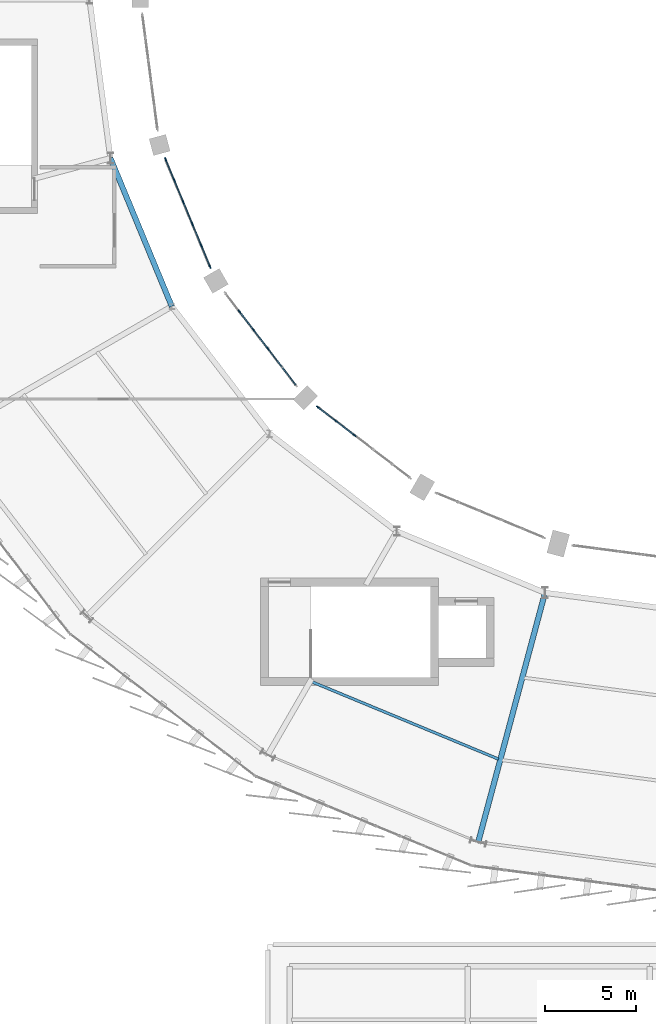
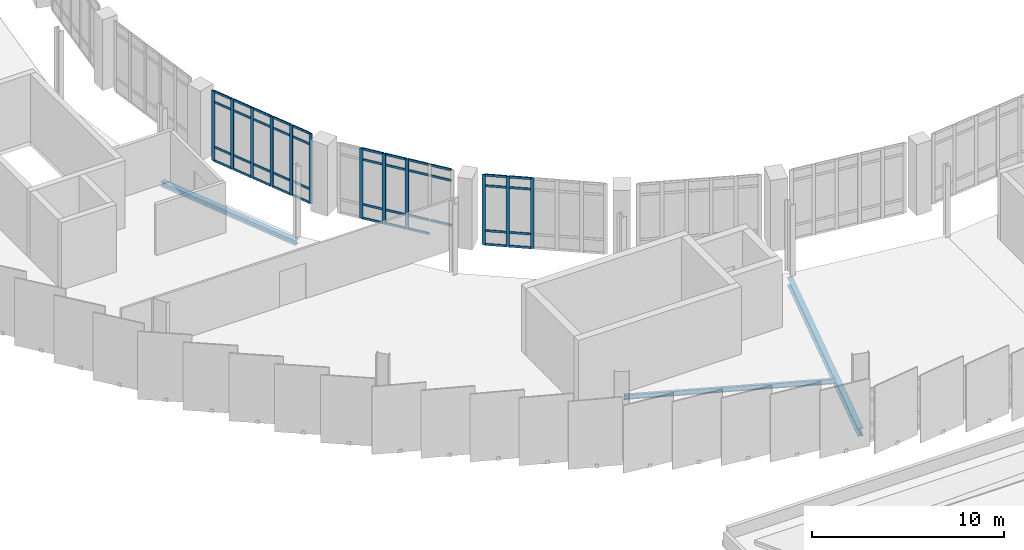
# One storey, part 18 of 67: 55 members, 3 beams, 3 elements without a shape of their own.
"""IFC4 building model written with IfcOpenShell, lengths in metres."""

from ifc_helpers import new_model, si_unit, direction, frame, origin, origin_2d, place, context, subcontext, project, spatial, rectangle, i_section, extrude, material, layer, layer_set, material_profile, profile_set, type_object, element, aggregate, save


model = new_model("IFC4")

# Units and contexts
model_context = context("Model", 3, precision=1e-05, world=origin(), true_north=direction((0.0, 1.0)))
body_context = subcontext(model_context, "Body", "Model", "MODEL_VIEW")
ifc_project = project(units=[si_unit("LENGTHUNIT", "METRE"), si_unit("AREAUNIT", "SQUARE_METRE"), si_unit("VOLUMEUNIT", "CUBIC_METRE"), si_unit("PLANEANGLEUNIT", "RADIAN"), si_unit("MASSUNIT", "GRAM", prefix="KILO")], contexts=[model_context])

# Site, building, storey
site_placement = place(None, origin())
site = spatial("IfcSite", under=ifc_project, at=site_placement, CompositionType="ELEMENT")
building_placement = place(site_placement, origin())
building = spatial("IfcBuilding", under=site, at=building_placement, Name="Sohan Crest Arena", CompositionType="ELEMENT")
storey_placement = place(building_placement, frame((0.0, 0.0, 22.5)))
storey = spatial("IfcBuildingStorey", under=building, at=storey_placement, Name="L05", CompositionType="ELEMENT", Elevation=22.5)

# Curtain wall, members
ifc_material_1 = material(Name="Thermally broken anodised aluminium", Category="aluminium")
ifc_layer = layer(ifc_material_1, 0.18994140625, Name="Thermally broken anodised aluminium")
ifc_layer_set = layer_set([ifc_layer], Name="Thermally broken anodised aluminium")
curtain_wall_type = type_object("IfcCurtainWallType", Name="ARC-CW05", PredefinedType="NOTDEFINED", material=ifc_layer_set)
curtain_wall_1_placement = place(storey_placement, origin())
curtain_wall_1 = element("IfcCurtainWall", 1, at=curtain_wall_1_placement, inside=storey, type_object=curtain_wall_type, Name="Unitised curtain wall CW-178", PredefinedType="NOTDEFINED")
ifc_material_profile_1 = material_profile(ifc_material_1, rectangle(XDim=0.070068359375, YDim=0.199951171875, at=origin_2d()), Name="ALU-MULL 70x200")
ifc_profile_set_1 = profile_set([ifc_material_profile_1], Name="Thermally broken anodised aluminium")
member_type_1 = type_object("IfcMemberType", Name="ARC-CW-ML03", PredefinedType="MULLION", material=ifc_profile_set_1)
member_1_placement = place(storey_placement, frame((68.38330078125, 69.186767578125, 0.0), z_axis=(0.0, 0.0, 1.0), x_axis=(0.923886494023, 0.382666625357, 0.0)))
member_1 = element("IfcMember", 2, at=member_1_placement, type_object=member_type_1, Name="CW-178 mullion 1", PredefinedType="MULLION", context=body_context, shape_type="SweptSolid", body=[
    extrude(rectangle(XDim=0.070068359375, YDim=0.199951171875, at=origin_2d()), origin(), (0.0, 0.0, 1.0), 4.449951171875),
])
member_2_placement = place(storey_placement, frame((68.86376953125, 68.02685546875, 0.0), z_axis=(0.0, 0.0, 1.0), x_axis=(0.923886494023, 0.382666625357, 0.0)))
member_2 = element("IfcMember", 3, at=member_2_placement, type_object=member_type_1, Name="CW-178 mullion 2", PredefinedType="MULLION", context=body_context, shape_type="SweptSolid", body=[
    extrude(rectangle(XDim=0.070068359375, YDim=0.199951171875, at=origin_2d()), origin(), (0.0, 0.0, 1.0), 4.449951171875),
])
member_3_placement = place(storey_placement, frame((69.357666015625, 66.834716796875, 0.0), z_axis=(0.0, 0.0, 1.0), x_axis=(0.923886494023, 0.382666625357, 0.0)))
member_3 = element("IfcMember", 4, at=member_3_placement, type_object=member_type_1, Name="CW-178 mullion 3", PredefinedType="MULLION", context=body_context, shape_type="SweptSolid", body=[
    extrude(rectangle(XDim=0.070068359375, YDim=0.199951171875, at=origin_2d()), origin(), (0.0, 0.0, 1.0), 4.449951171875),
])
member_4_placement = place(storey_placement, frame((69.851318359375, 65.642333984375, 0.0), z_axis=(0.0, 0.0, 1.0), x_axis=(0.923886494023, 0.382666625357, 0.0)))
member_4 = element("IfcMember", 5, at=member_4_placement, type_object=member_type_1, Name="CW-178 mullion 4", PredefinedType="MULLION", context=body_context, shape_type="SweptSolid", body=[
    extrude(rectangle(XDim=0.070068359375, YDim=0.199951171875, at=origin_2d()), origin(), (0.0, 0.0, 1.0), 4.449951171875),
])
member_5_placement = place(storey_placement, frame((70.34521484375, 64.4501953125, 0.0), z_axis=(0.0, 0.0, 1.0), x_axis=(0.923886494023, 0.382666625357, 0.0)))
member_5 = element("IfcMember", 6, at=member_5_placement, type_object=member_type_1, Name="CW-178 mullion 5", PredefinedType="MULLION", context=body_context, shape_type="SweptSolid", body=[
    extrude(rectangle(XDim=0.070068359375, YDim=0.199951171875, at=origin_2d()), origin(), (0.0, 0.0, 1.0), 4.449951171875),
])
member_6_placement = place(storey_placement, frame((70.82568359375, 63.290283203125, 0.0), z_axis=(0.0, 0.0, 1.0), x_axis=(0.923886494023, 0.382666625357, 0.0)))
member_6 = element("IfcMember", 7, at=member_6_placement, type_object=member_type_1, Name="CW-178 mullion 6", PredefinedType="MULLION", context=body_context, shape_type="SweptSolid", body=[
    extrude(rectangle(XDim=0.070068359375, YDim=0.199951171875, at=origin_2d()), origin(), (0.0, 0.0, 1.0), 4.449951171875),
])

curtain_wall_2_placement = place(storey_placement, origin())
curtain_wall_2 = element("IfcCurtainWall", 8, at=curtain_wall_2_placement, inside=storey, type_object=curtain_wall_type, Name="Unitised curtain wall CW-180", PredefinedType="NOTDEFINED")
member_7_placement = place(storey_placement, frame((72.437744140625, 60.825439453125, 0.0), z_axis=(0.0, 0.0, 1.0), x_axis=(0.793217053508, 0.608939000248, 0.0)))
member_7 = element("IfcMember", 9, at=member_7_placement, type_object=member_type_1, Name="CW-180 mullion 2", PredefinedType="MULLION", context=body_context, shape_type="SweptSolid", body=[
    extrude(rectangle(XDim=0.070068359375, YDim=0.199951171875, at=origin_2d()), origin(), (0.0, 0.0, 1.0), 4.449951171875),
])
member_8_placement = place(storey_placement, frame((73.2236328125, 59.8017578125, 0.0), z_axis=(0.0, 0.0, 1.0), x_axis=(0.793217053508, 0.608939000248, 0.0)))
member_8 = element("IfcMember", 10, at=member_8_placement, type_object=member_type_1, Name="CW-180 mullion 3", PredefinedType="MULLION", context=body_context, shape_type="SweptSolid", body=[
    extrude(rectangle(XDim=0.070068359375, YDim=0.199951171875, at=origin_2d()), origin(), (0.0, 0.0, 1.0), 4.449951171875),
])
member_9_placement = place(storey_placement, frame((74.009521484375, 58.7783203125, 0.0), z_axis=(0.0, 0.0, 1.0), x_axis=(0.793217053508, 0.608939000248, 0.0)))
member_9 = element("IfcMember", 11, at=member_9_placement, type_object=member_type_1, Name="CW-180 mullion 4", PredefinedType="MULLION", context=body_context, shape_type="SweptSolid", body=[
    extrude(rectangle(XDim=0.070068359375, YDim=0.199951171875, at=origin_2d()), origin(), (0.0, 0.0, 1.0), 4.449951171875),
])

curtain_wall_3_placement = place(storey_placement, origin())
curtain_wall_3 = element("IfcCurtainWall", 12, at=curtain_wall_3_placement, inside=storey, type_object=curtain_wall_type, Name="Unitised curtain wall CW-182", PredefinedType="NOTDEFINED")
member_10_placement = place(storey_placement, frame((76.7587890625, 55.5595703125, 0.0), z_axis=(0.0, 0.0, 1.0), x_axis=(0.608939000248, 0.793217053508, 0.0)))
member_10 = element("IfcMember", 13, at=member_10_placement, type_object=member_type_1, Name="CW-182 mullion 1", PredefinedType="MULLION", context=body_context, shape_type="SweptSolid", body=[
    extrude(rectangle(XDim=0.070068359375, YDim=0.199951171875, at=origin_2d()), origin(), (0.0, 0.0, 1.0), 4.449951171875),
])
member_11_placement = place(storey_placement, frame((77.754638671875, 54.795166015625, 0.0), z_axis=(0.0, 0.0, 1.0), x_axis=(0.608939000248, 0.793217053508, 0.0)))
member_11 = element("IfcMember", 14, at=member_11_placement, type_object=member_type_1, Name="CW-182 mullion 2", PredefinedType="MULLION", context=body_context, shape_type="SweptSolid", body=[
    extrude(rectangle(XDim=0.070068359375, YDim=0.199951171875, at=origin_2d()), origin(), (0.0, 0.0, 1.0), 4.449951171875),
])
member_12_placement = place(storey_placement, frame((78.7783203125, 54.009521484375, 0.0), z_axis=(0.0, 0.0, 1.0), x_axis=(0.608939000248, 0.793217053508, 0.0)))
member_12 = element("IfcMember", 15, at=member_12_placement, type_object=member_type_1, Name="CW-182 mullion 3", PredefinedType="MULLION", context=body_context, shape_type="SweptSolid", body=[
    extrude(rectangle(XDim=0.070068359375, YDim=0.199951171875, at=origin_2d()), origin(), (0.0, 0.0, 1.0), 4.449951171875),
])

# Member
ifc_material_profile_2 = material_profile(ifc_material_1, rectangle(XDim=0.06494140625, YDim=0.139892578125, at=origin_2d()), Name="ALU-TRAN 65x140")
ifc_profile_set_2 = profile_set([ifc_material_profile_2], Name="Thermally broken anodised aluminium")
member_type_2 = type_object("IfcMemberType", Name="ARC-CW-TR02", PredefinedType="USERDEFINED", material=ifc_profile_set_2)
member_13_placement = place(storey_placement, frame((68.396728515625, 69.154296875, 0.032470703125), z_axis=(0.382654947151, -0.923891330959, 0.0), x_axis=(0.923891330959, 0.382654947151, 0.0)))
member_13 = element("IfcMember", 16, at=member_13_placement, type_object=member_type_2, Name="CW-178 transom 1.1", ObjectType="TRANSOM", PredefinedType="USERDEFINED", context=body_context, shape_type="SweptSolid", body=[
    extrude(rectangle(XDim=0.06494140625, YDim=0.139892578125, at=origin_2d()), origin(), (0.0, 0.0, 1.0), 1.185546875),
])

member_14_placement = place(storey_placement, frame((68.396728515625, 69.154296875, 0.89990234375), z_axis=(0.382654947151, -0.923891330959, 0.0), x_axis=(0.923891330959, 0.382654947151, 0.0)))
member_14 = element("IfcMember", 17, at=member_14_placement, type_object=member_type_2, Name="CW-178 transom 1.2", ObjectType="TRANSOM", PredefinedType="USERDEFINED", context=body_context, shape_type="SweptSolid", body=[
    extrude(rectangle(XDim=0.06494140625, YDim=0.139892578125, at=origin_2d()), origin(), (0.0, 0.0, 1.0), 1.185546875),
])

member_15_placement = place(storey_placement, frame((68.396728515625, 69.154296875, 3.75), z_axis=(0.382654947151, -0.923891330959, 0.0), x_axis=(0.923891330959, 0.382654947151, 0.0)))
member_15 = element("IfcMember", 18, at=member_15_placement, type_object=member_type_2, Name="CW-178 transom 1.3", ObjectType="TRANSOM", PredefinedType="USERDEFINED", context=body_context, shape_type="SweptSolid", body=[
    extrude(rectangle(XDim=0.06494140625, YDim=0.139892578125, at=origin_2d()), origin(), (0.0, 0.0, 1.0), 1.185546875),
])

member_16_placement = place(storey_placement, frame((68.396728515625, 69.154296875, 4.41748046875), z_axis=(0.382654947151, -0.923891330959, 0.0), x_axis=(0.923891330959, 0.382654947151, 0.0)))
member_16 = element("IfcMember", 19, at=member_16_placement, type_object=member_type_2, Name="CW-178 transom 1.4", ObjectType="TRANSOM", PredefinedType="USERDEFINED", context=body_context, shape_type="SweptSolid", body=[
    extrude(rectangle(XDim=0.06494140625, YDim=0.139892578125, at=origin_2d()), origin(), (0.0, 0.0, 1.0), 1.185546875),
])

member_17_placement = place(storey_placement, frame((68.877197265625, 67.994384765625, 0.032470703125), z_axis=(0.382711055899, -0.923868089985, 0.0), x_axis=(0.923868089985, 0.382711055899, 0.0)))
member_17 = element("IfcMember", 20, at=member_17_placement, type_object=member_type_2, Name="CW-178 transom 2.1", ObjectType="TRANSOM", PredefinedType="USERDEFINED", context=body_context, shape_type="SweptSolid", body=[
    extrude(rectangle(XDim=0.06494140625, YDim=0.139892578125, at=origin_2d()), origin(), (0.0, 0.0, 1.0), 1.220458984375),
])

member_18_placement = place(storey_placement, frame((68.877197265625, 67.994384765625, 0.89990234375), z_axis=(0.382711055899, -0.923868089985, 0.0), x_axis=(0.923868089985, 0.382711055899, 0.0)))
member_18 = element("IfcMember", 21, at=member_18_placement, type_object=member_type_2, Name="CW-178 transom 2.2", ObjectType="TRANSOM", PredefinedType="USERDEFINED", context=body_context, shape_type="SweptSolid", body=[
    extrude(rectangle(XDim=0.06494140625, YDim=0.139892578125, at=origin_2d()), origin(), (0.0, 0.0, 1.0), 1.220458984375),
])

member_19_placement = place(storey_placement, frame((68.877197265625, 67.994384765625, 3.75), z_axis=(0.382711055899, -0.923868089985, 0.0), x_axis=(0.923868089985, 0.382711055899, 0.0)))
member_19 = element("IfcMember", 22, at=member_19_placement, type_object=member_type_2, Name="CW-178 transom 2.3", ObjectType="TRANSOM", PredefinedType="USERDEFINED", context=body_context, shape_type="SweptSolid", body=[
    extrude(rectangle(XDim=0.06494140625, YDim=0.139892578125, at=origin_2d()), origin(), (0.0, 0.0, 1.0), 1.220458984375),
])

member_20_placement = place(storey_placement, frame((68.877197265625, 67.994384765625, 4.41748046875), z_axis=(0.382711055899, -0.923868089985, 0.0), x_axis=(0.923868089985, 0.382711055899, 0.0)))
member_20 = element("IfcMember", 23, at=member_20_placement, type_object=member_type_2, Name="CW-178 transom 2.4", ObjectType="TRANSOM", PredefinedType="USERDEFINED", context=body_context, shape_type="SweptSolid", body=[
    extrude(rectangle(XDim=0.06494140625, YDim=0.139892578125, at=origin_2d()), origin(), (0.0, 0.0, 1.0), 1.220458984375),
])

member_21_placement = place(storey_placement, frame((69.37109375, 66.80224609375, 0.032470703125), z_axis=(0.382540280289, -0.92393881505, 0.0), x_axis=(0.92393881505, 0.382540280289, 0.0)))
member_21 = element("IfcMember", 24, at=member_21_placement, type_object=member_type_2, Name="CW-178 transom 3.1", ObjectType="TRANSOM", PredefinedType="USERDEFINED", context=body_context, shape_type="SweptSolid", body=[
    extrude(rectangle(XDim=0.06494140625, YDim=0.139892578125, at=origin_2d()), origin(), (0.0, 0.0, 1.0), 1.22021484375),
])

member_22_placement = place(storey_placement, frame((69.37109375, 66.80224609375, 0.89990234375), z_axis=(0.382540280289, -0.92393881505, 0.0), x_axis=(0.92393881505, 0.382540280289, 0.0)))
member_22 = element("IfcMember", 25, at=member_22_placement, type_object=member_type_2, Name="CW-178 transom 3.2", ObjectType="TRANSOM", PredefinedType="USERDEFINED", context=body_context, shape_type="SweptSolid", body=[
    extrude(rectangle(XDim=0.06494140625, YDim=0.139892578125, at=origin_2d()), origin(), (0.0, 0.0, 1.0), 1.22021484375),
])

member_23_placement = place(storey_placement, frame((69.37109375, 66.80224609375, 3.75), z_axis=(0.382540280289, -0.92393881505, 0.0), x_axis=(0.92393881505, 0.382540280289, 0.0)))
member_23 = element("IfcMember", 26, at=member_23_placement, type_object=member_type_2, Name="CW-178 transom 3.3", ObjectType="TRANSOM", PredefinedType="USERDEFINED", context=body_context, shape_type="SweptSolid", body=[
    extrude(rectangle(XDim=0.06494140625, YDim=0.139892578125, at=origin_2d()), origin(), (0.0, 0.0, 1.0), 1.22021484375),
])

member_24_placement = place(storey_placement, frame((69.37109375, 66.80224609375, 4.41748046875), z_axis=(0.382540280289, -0.92393881505, 0.0), x_axis=(0.92393881505, 0.382540280289, 0.0)))
member_24 = element("IfcMember", 27, at=member_24_placement, type_object=member_type_2, Name="CW-178 transom 3.4", ObjectType="TRANSOM", PredefinedType="USERDEFINED", context=body_context, shape_type="SweptSolid", body=[
    extrude(rectangle(XDim=0.06494140625, YDim=0.139892578125, at=origin_2d()), origin(), (0.0, 0.0, 1.0), 1.22021484375),
])

member_25_placement = place(storey_placement, frame((69.86474609375, 65.610107421875, 0.032470703125), z_axis=(0.382640332417, -0.923897383917, 0.0), x_axis=(0.923897383917, 0.382640332417, 0.0)))
member_25 = element("IfcMember", 28, at=member_25_placement, type_object=member_type_2, Name="CW-178 transom 4.1", ObjectType="TRANSOM", PredefinedType="USERDEFINED", context=body_context, shape_type="SweptSolid", body=[
    extrude(rectangle(XDim=0.06494140625, YDim=0.139892578125, at=origin_2d()), origin(), (0.0, 0.0, 1.0), 1.220458984375),
])

member_26_placement = place(storey_placement, frame((69.86474609375, 65.610107421875, 0.89990234375), z_axis=(0.382640332417, -0.923897383917, 0.0), x_axis=(0.923897383917, 0.382640332417, 0.0)))
member_26 = element("IfcMember", 29, at=member_26_placement, type_object=member_type_2, Name="CW-178 transom 4.2", ObjectType="TRANSOM", PredefinedType="USERDEFINED", context=body_context, shape_type="SweptSolid", body=[
    extrude(rectangle(XDim=0.06494140625, YDim=0.139892578125, at=origin_2d()), origin(), (0.0, 0.0, 1.0), 1.220458984375),
])

member_27_placement = place(storey_placement, frame((69.86474609375, 65.610107421875, 3.75), z_axis=(0.382640332417, -0.923897383917, 0.0), x_axis=(0.923897383917, 0.382640332417, 0.0)))
member_27 = element("IfcMember", 30, at=member_27_placement, type_object=member_type_2, Name="CW-178 transom 4.3", ObjectType="TRANSOM", PredefinedType="USERDEFINED", context=body_context, shape_type="SweptSolid", body=[
    extrude(rectangle(XDim=0.06494140625, YDim=0.139892578125, at=origin_2d()), origin(), (0.0, 0.0, 1.0), 1.220458984375),
])

member_28_placement = place(storey_placement, frame((69.86474609375, 65.610107421875, 4.41748046875), z_axis=(0.382640332417, -0.923897383917, 0.0), x_axis=(0.923897383917, 0.382640332417, 0.0)))
member_28 = element("IfcMember", 31, at=member_28_placement, type_object=member_type_2, Name="CW-178 transom 4.4", ObjectType="TRANSOM", PredefinedType="USERDEFINED", context=body_context, shape_type="SweptSolid", body=[
    extrude(rectangle(XDim=0.06494140625, YDim=0.139892578125, at=origin_2d()), origin(), (0.0, 0.0, 1.0), 1.220458984375),
])

member_29_placement = place(storey_placement, frame((70.358642578125, 64.41796875, 0.032470703125), z_axis=(0.382654947151, -0.923891330959, 0.0), x_axis=(0.923891330959, 0.382654947151, 0.0)))
member_29 = element("IfcMember", 32, at=member_29_placement, type_object=member_type_2, Name="CW-178 transom 5.1", ObjectType="TRANSOM", PredefinedType="USERDEFINED", context=body_context, shape_type="SweptSolid", body=[
    extrude(rectangle(XDim=0.06494140625, YDim=0.139892578125, at=origin_2d()), origin(), (0.0, 0.0, 1.0), 1.185546875),
])

member_30_placement = place(storey_placement, frame((70.358642578125, 64.41796875, 0.89990234375), z_axis=(0.382654947151, -0.923891330959, 0.0), x_axis=(0.923891330959, 0.382654947151, 0.0)))
member_30 = element("IfcMember", 33, at=member_30_placement, type_object=member_type_2, Name="CW-178 transom 5.2", ObjectType="TRANSOM", PredefinedType="USERDEFINED", context=body_context, shape_type="SweptSolid", body=[
    extrude(rectangle(XDim=0.06494140625, YDim=0.139892578125, at=origin_2d()), origin(), (0.0, 0.0, 1.0), 1.185546875),
])

member_31_placement = place(storey_placement, frame((70.358642578125, 64.41796875, 3.75), z_axis=(0.382654947151, -0.923891330959, 0.0), x_axis=(0.923891330959, 0.382654947151, 0.0)))
member_31 = element("IfcMember", 34, at=member_31_placement, type_object=member_type_2, Name="CW-178 transom 5.3", ObjectType="TRANSOM", PredefinedType="USERDEFINED", context=body_context, shape_type="SweptSolid", body=[
    extrude(rectangle(XDim=0.06494140625, YDim=0.139892578125, at=origin_2d()), origin(), (0.0, 0.0, 1.0), 1.185546875),
])

member_32_placement = place(storey_placement, frame((70.358642578125, 64.41796875, 4.41748046875), z_axis=(0.382654947151, -0.923891330959, 0.0), x_axis=(0.923891330959, 0.382654947151, 0.0)))
member_32 = element("IfcMember", 35, at=member_32_placement, type_object=member_type_2, Name="CW-178 transom 5.4", ObjectType="TRANSOM", PredefinedType="USERDEFINED", context=body_context, shape_type="SweptSolid", body=[
    extrude(rectangle(XDim=0.06494140625, YDim=0.139892578125, at=origin_2d()), origin(), (0.0, 0.0, 1.0), 1.185546875),
])

aggregate(curtain_wall_1, [member_1, member_2, member_3, member_4, member_5, member_6, member_13, member_14, member_15, member_16, member_17, member_18, member_19, member_20, member_21, member_22, member_23, member_24, member_25, member_26, member_27, member_28, member_29, member_30, member_31, member_32])

member_33_placement = place(storey_placement, frame((72.459228515625, 60.797607421875, 0.032470703125), z_axis=(0.608956387903, -0.793203705004, 0.0), x_axis=(0.793203705004, 0.608956387903, 0.0)))
member_33 = element("IfcMember", 36, at=member_33_placement, type_object=member_type_2, Name="CW-180 transom 2.1", ObjectType="TRANSOM", PredefinedType="USERDEFINED", context=body_context, shape_type="SweptSolid", body=[
    extrude(rectangle(XDim=0.06494140625, YDim=0.139892578125, at=origin_2d()), origin(), (0.0, 0.0, 1.0), 1.220458984375),
])

member_34_placement = place(storey_placement, frame((72.459228515625, 60.797607421875, 0.89990234375), z_axis=(0.608956387903, -0.793203705004, 0.0), x_axis=(0.793203705004, 0.608956387903, 0.0)))
member_34 = element("IfcMember", 37, at=member_34_placement, type_object=member_type_2, Name="CW-180 transom 2.2", ObjectType="TRANSOM", PredefinedType="USERDEFINED", context=body_context, shape_type="SweptSolid", body=[
    extrude(rectangle(XDim=0.06494140625, YDim=0.139892578125, at=origin_2d()), origin(), (0.0, 0.0, 1.0), 1.220458984375),
])

member_35_placement = place(storey_placement, frame((72.459228515625, 60.797607421875, 3.75), z_axis=(0.608956387903, -0.793203705004, 0.0), x_axis=(0.793203705004, 0.608956387903, 0.0)))
member_35 = element("IfcMember", 38, at=member_35_placement, type_object=member_type_2, Name="CW-180 transom 2.3", ObjectType="TRANSOM", PredefinedType="USERDEFINED", context=body_context, shape_type="SweptSolid", body=[
    extrude(rectangle(XDim=0.06494140625, YDim=0.139892578125, at=origin_2d()), origin(), (0.0, 0.0, 1.0), 1.220458984375),
])

member_36_placement = place(storey_placement, frame((72.459228515625, 60.797607421875, 4.41748046875), z_axis=(0.608956387903, -0.793203705004, 0.0), x_axis=(0.793203705004, 0.608956387903, 0.0)))
member_36 = element("IfcMember", 39, at=member_36_placement, type_object=member_type_2, Name="CW-180 transom 2.4", ObjectType="TRANSOM", PredefinedType="USERDEFINED", context=body_context, shape_type="SweptSolid", body=[
    extrude(rectangle(XDim=0.06494140625, YDim=0.139892578125, at=origin_2d()), origin(), (0.0, 0.0, 1.0), 1.220458984375),
])

member_37_placement = place(storey_placement, frame((73.244873046875, 59.77392578125, 0.032470703125), z_axis=(0.608956387903, -0.793203705004, 0.0), x_axis=(0.793203705004, 0.608956387903, 0.0)))
member_37 = element("IfcMember", 40, at=member_37_placement, type_object=member_type_2, Name="CW-180 transom 3.1", ObjectType="TRANSOM", PredefinedType="USERDEFINED", context=body_context, shape_type="SweptSolid", body=[
    extrude(rectangle(XDim=0.06494140625, YDim=0.139892578125, at=origin_2d()), origin(), (0.0, 0.0, 1.0), 1.220458984375),
])

member_38_placement = place(storey_placement, frame((73.244873046875, 59.77392578125, 0.89990234375), z_axis=(0.608956387903, -0.793203705004, 0.0), x_axis=(0.793203705004, 0.608956387903, 0.0)))
member_38 = element("IfcMember", 41, at=member_38_placement, type_object=member_type_2, Name="CW-180 transom 3.2", ObjectType="TRANSOM", PredefinedType="USERDEFINED", context=body_context, shape_type="SweptSolid", body=[
    extrude(rectangle(XDim=0.06494140625, YDim=0.139892578125, at=origin_2d()), origin(), (0.0, 0.0, 1.0), 1.220458984375),
])

member_39_placement = place(storey_placement, frame((73.244873046875, 59.77392578125, 3.75), z_axis=(0.608956387903, -0.793203705004, 0.0), x_axis=(0.793203705004, 0.608956387903, 0.0)))
member_39 = element("IfcMember", 42, at=member_39_placement, type_object=member_type_2, Name="CW-180 transom 3.3", ObjectType="TRANSOM", PredefinedType="USERDEFINED", context=body_context, shape_type="SweptSolid", body=[
    extrude(rectangle(XDim=0.06494140625, YDim=0.139892578125, at=origin_2d()), origin(), (0.0, 0.0, 1.0), 1.220458984375),
])

member_40_placement = place(storey_placement, frame((73.244873046875, 59.77392578125, 4.41748046875), z_axis=(0.608956387903, -0.793203705004, 0.0), x_axis=(0.793203705004, 0.608956387903, 0.0)))
member_40 = element("IfcMember", 43, at=member_40_placement, type_object=member_type_2, Name="CW-180 transom 3.4", ObjectType="TRANSOM", PredefinedType="USERDEFINED", context=body_context, shape_type="SweptSolid", body=[
    extrude(rectangle(XDim=0.06494140625, YDim=0.139892578125, at=origin_2d()), origin(), (0.0, 0.0, 1.0), 1.220458984375),
])

member_41_placement = place(storey_placement, frame((74.03076171875, 58.75048828125, 0.032470703125), z_axis=(0.608956387903, -0.793203705004, 0.0), x_axis=(0.793203705004, 0.608956387903, 0.0)))
member_41 = element("IfcMember", 44, at=member_41_placement, type_object=member_type_2, Name="CW-180 transom 4.1", ObjectType="TRANSOM", PredefinedType="USERDEFINED", context=body_context, shape_type="SweptSolid", body=[
    extrude(rectangle(XDim=0.06494140625, YDim=0.139892578125, at=origin_2d()), origin(), (0.0, 0.0, 1.0), 1.220458984375),
])

member_42_placement = place(storey_placement, frame((74.03076171875, 58.75048828125, 0.89990234375), z_axis=(0.608956387903, -0.793203705004, 0.0), x_axis=(0.793203705004, 0.608956387903, 0.0)))
member_42 = element("IfcMember", 45, at=member_42_placement, type_object=member_type_2, Name="CW-180 transom 4.2", ObjectType="TRANSOM", PredefinedType="USERDEFINED", context=body_context, shape_type="SweptSolid", body=[
    extrude(rectangle(XDim=0.06494140625, YDim=0.139892578125, at=origin_2d()), origin(), (0.0, 0.0, 1.0), 1.220458984375),
])

member_43_placement = place(storey_placement, frame((74.03076171875, 58.75048828125, 3.75), z_axis=(0.608956387903, -0.793203705004, 0.0), x_axis=(0.793203705004, 0.608956387903, 0.0)))
member_43 = element("IfcMember", 46, at=member_43_placement, type_object=member_type_2, Name="CW-180 transom 4.3", ObjectType="TRANSOM", PredefinedType="USERDEFINED", context=body_context, shape_type="SweptSolid", body=[
    extrude(rectangle(XDim=0.06494140625, YDim=0.139892578125, at=origin_2d()), origin(), (0.0, 0.0, 1.0), 1.220458984375),
])

member_44_placement = place(storey_placement, frame((74.03076171875, 58.75048828125, 4.41748046875), z_axis=(0.608956387903, -0.793203705004, 0.0), x_axis=(0.793203705004, 0.608956387903, 0.0)))
member_44 = element("IfcMember", 47, at=member_44_placement, type_object=member_type_2, Name="CW-180 transom 4.4", ObjectType="TRANSOM", PredefinedType="USERDEFINED", context=body_context, shape_type="SweptSolid", body=[
    extrude(rectangle(XDim=0.06494140625, YDim=0.139892578125, at=origin_2d()), origin(), (0.0, 0.0, 1.0), 1.220458984375),
])

member_45_placement = place(storey_placement, frame((74.81640625, 57.726806640625, 0.89990234375), z_axis=(0.609023743394, -0.793151990467, 0.0), x_axis=(0.793151990467, 0.609023743394, 0.0)))
member_45 = element("IfcMember", 48, at=member_45_placement, type_object=member_type_2, Name="CW-180 transom 5.2", ObjectType="TRANSOM", PredefinedType="USERDEFINED", context=body_context, shape_type="SweptSolid", body=[
    extrude(rectangle(XDim=0.06494140625, YDim=0.139892578125, at=origin_2d()), origin(), (0.0, 0.0, 1.0), 1.185302734375),
])

member_46_placement = place(storey_placement, frame((74.81640625, 57.726806640625, 3.75), z_axis=(0.609023743394, -0.793151990467, 0.0), x_axis=(0.793151990467, 0.609023743394, 0.0)))
member_46 = element("IfcMember", 49, at=member_46_placement, type_object=member_type_2, Name="CW-180 transom 5.3", ObjectType="TRANSOM", PredefinedType="USERDEFINED", context=body_context, shape_type="SweptSolid", body=[
    extrude(rectangle(XDim=0.06494140625, YDim=0.139892578125, at=origin_2d()), origin(), (0.0, 0.0, 1.0), 1.185302734375),
])

member_47_placement = place(storey_placement, frame((74.81640625, 57.726806640625, 4.41748046875), z_axis=(0.609023743394, -0.793151990467, 0.0), x_axis=(0.793151990467, 0.609023743394, 0.0)))
member_47 = element("IfcMember", 50, at=member_47_placement, type_object=member_type_2, Name="CW-180 transom 5.4", ObjectType="TRANSOM", PredefinedType="USERDEFINED", context=body_context, shape_type="SweptSolid", body=[
    extrude(rectangle(XDim=0.06494140625, YDim=0.139892578125, at=origin_2d()), origin(), (0.0, 0.0, 1.0), 1.185302734375),
])

aggregate(curtain_wall_2, [member_7, member_8, member_9, member_33, member_34, member_35, member_36, member_37, member_38, member_39, member_40, member_41, member_42, member_43, member_44, member_45, member_46, member_47])

member_48_placement = place(storey_placement, frame((76.78662109375, 55.538330078125, 0.032470703125), z_axis=(0.793151990467, -0.609023743394, 0.0), x_axis=(0.609023743394, 0.793151990467, 0.0)))
member_48 = element("IfcMember", 51, at=member_48_placement, type_object=member_type_2, Name="CW-182 transom 1.1", ObjectType="TRANSOM", PredefinedType="USERDEFINED", context=body_context, shape_type="SweptSolid", body=[
    extrude(rectangle(XDim=0.06494140625, YDim=0.139892578125, at=origin_2d()), origin(), (0.0, 0.0, 1.0), 1.185302734375),
])

member_49_placement = place(storey_placement, frame((76.78662109375, 55.538330078125, 0.89990234375), z_axis=(0.793151990467, -0.609023743394, 0.0), x_axis=(0.609023743394, 0.793151990467, 0.0)))
member_49 = element("IfcMember", 52, at=member_49_placement, type_object=member_type_2, Name="CW-182 transom 1.2", ObjectType="TRANSOM", PredefinedType="USERDEFINED", context=body_context, shape_type="SweptSolid", body=[
    extrude(rectangle(XDim=0.06494140625, YDim=0.139892578125, at=origin_2d()), origin(), (0.0, 0.0, 1.0), 1.185302734375),
])

member_50_placement = place(storey_placement, frame((76.78662109375, 55.538330078125, 3.75), z_axis=(0.793151990467, -0.609023743394, 0.0), x_axis=(0.609023743394, 0.793151990467, 0.0)))
member_50 = element("IfcMember", 53, at=member_50_placement, type_object=member_type_2, Name="CW-182 transom 1.3", ObjectType="TRANSOM", PredefinedType="USERDEFINED", context=body_context, shape_type="SweptSolid", body=[
    extrude(rectangle(XDim=0.06494140625, YDim=0.139892578125, at=origin_2d()), origin(), (0.0, 0.0, 1.0), 1.185302734375),
])

member_51_placement = place(storey_placement, frame((76.78662109375, 55.538330078125, 4.41748046875), z_axis=(0.793151990467, -0.609023743394, 0.0), x_axis=(0.609023743394, 0.793151990467, 0.0)))
member_51 = element("IfcMember", 54, at=member_51_placement, type_object=member_type_2, Name="CW-182 transom 1.4", ObjectType="TRANSOM", PredefinedType="USERDEFINED", context=body_context, shape_type="SweptSolid", body=[
    extrude(rectangle(XDim=0.06494140625, YDim=0.139892578125, at=origin_2d()), origin(), (0.0, 0.0, 1.0), 1.185302734375),
])

member_52_placement = place(storey_placement, frame((77.782470703125, 54.77392578125, 0.032470703125), z_axis=(0.793203705004, -0.608956387903, 0.0), x_axis=(0.608956387903, 0.793203705004, 0.0)))
member_52 = element("IfcMember", 55, at=member_52_placement, type_object=member_type_2, Name="CW-182 transom 2.1", ObjectType="TRANSOM", PredefinedType="USERDEFINED", context=body_context, shape_type="SweptSolid", body=[
    extrude(rectangle(XDim=0.06494140625, YDim=0.139892578125, at=origin_2d()), origin(), (0.0, 0.0, 1.0), 1.220458984375),
])

member_53_placement = place(storey_placement, frame((77.782470703125, 54.77392578125, 0.89990234375), z_axis=(0.793203705004, -0.608956387903, 0.0), x_axis=(0.608956387903, 0.793203705004, 0.0)))
member_53 = element("IfcMember", 56, at=member_53_placement, type_object=member_type_2, Name="CW-182 transom 2.2", ObjectType="TRANSOM", PredefinedType="USERDEFINED", context=body_context, shape_type="SweptSolid", body=[
    extrude(rectangle(XDim=0.06494140625, YDim=0.139892578125, at=origin_2d()), origin(), (0.0, 0.0, 1.0), 1.220458984375),
])

member_54_placement = place(storey_placement, frame((77.782470703125, 54.77392578125, 3.75), z_axis=(0.793203705004, -0.608956387903, 0.0), x_axis=(0.608956387903, 0.793203705004, 0.0)))
member_54 = element("IfcMember", 57, at=member_54_placement, type_object=member_type_2, Name="CW-182 transom 2.3", ObjectType="TRANSOM", PredefinedType="USERDEFINED", context=body_context, shape_type="SweptSolid", body=[
    extrude(rectangle(XDim=0.06494140625, YDim=0.139892578125, at=origin_2d()), origin(), (0.0, 0.0, 1.0), 1.220458984375),
])

member_55_placement = place(storey_placement, frame((77.782470703125, 54.77392578125, 4.41748046875), z_axis=(0.793203705004, -0.608956387903, 0.0), x_axis=(0.608956387903, 0.793203705004, 0.0)))
member_55 = element("IfcMember", 58, at=member_55_placement, type_object=member_type_2, Name="CW-182 transom 2.4", ObjectType="TRANSOM", PredefinedType="USERDEFINED", context=body_context, shape_type="SweptSolid", body=[
    extrude(rectangle(XDim=0.06494140625, YDim=0.139892578125, at=origin_2d()), origin(), (0.0, 0.0, 1.0), 1.220458984375),
])

aggregate(curtain_wall_3, [member_10, member_11, member_12, member_48, member_49, member_50, member_51, member_52, member_53, member_54, member_55])

# Beams
ifc_material_2 = material(Name="Steel S355", Category="steel")
ifc_material_profile_3 = material_profile(ifc_material_2, i_section(OverallWidth=0.14990234375, OverallDepth=0.300048828125, WebThickness=0.007080078125, FlangeThickness=0.0107421875, at=origin_2d()), Name="IPE 300")
ifc_profile_set_3 = profile_set([ifc_material_profile_3], Name="Steel S355")
beam_type_1 = type_object("IfcBeamType", Name="STR-BM-B01", PredefinedType="JOIST", material=ifc_profile_set_3)
beam_1_placement = place(storey_placement, frame((76.445068359375, 40.447021484375, -0.39990234375), z_axis=(0.923874316241, -0.382696025312, 0.0), x_axis=(0.382696025312, 0.923874316241, 0.0)))
element("IfcBeam", 59, at=beam_1_placement, inside=storey, type_object=beam_type_1, Name="Structural beam J-L05-1751", PredefinedType="JOIST", context=body_context, shape_type="SweptSolid", body=[
    extrude(i_section(OverallWidth=0.14990234375, OverallDepth=0.300048828125, WebThickness=0.007080078125, FlangeThickness=0.0107421875, at=origin_2d()), origin(), (0.0, 0.0, 1.0), 11.0869140625),
])
ifc_material_profile_4 = material_profile(ifc_material_2, i_section(OverallWidth=0.300048828125, OverallDepth=0.300048828125, WebThickness=0.010986328125, FlangeThickness=0.01904296875, at=origin_2d()), Name="HEB 300")
ifc_profile_set_4 = profile_set([ifc_material_profile_4], Name="Steel S355")
beam_type_2 = type_object("IfcBeamType", Name="STR-BM-B12", PredefinedType="BEAM", material=ifc_profile_set_4)
beam_2_placement = place(storey_placement, frame((65.35205078125, 69.251953125, -0.39990234375), z_axis=(0.38262224111, -0.923904876385, 0.0), x_axis=(0.923904876385, 0.38262224111, 0.0)))
element("IfcBeam", 60, at=beam_2_placement, inside=storey, type_object=beam_type_2, Name="Structural beam G-L05-1737", PredefinedType="BEAM", context=body_context, shape_type="SweptSolid", body=[
    extrude(i_section(OverallWidth=0.300048828125, OverallDepth=0.300048828125, WebThickness=0.010986328125, FlangeThickness=0.01904296875, at=origin_2d()), origin(), (0.0, 0.0, 1.0), 8.8232421875),
])
ifc_material_profile_5 = material_profile(ifc_material_2, i_section(OverallWidth=0.300048828125, OverallDepth=0.5, WebThickness=0.014404296875, FlangeThickness=0.028076171875, at=origin_2d()), Name="HEB 500")
ifc_profile_set_5 = profile_set([ifc_material_profile_5], Name="Steel S355")
beam_type_3 = type_object("IfcBeamType", Name="STR-BM-B14", PredefinedType="BEAM", material=ifc_profile_set_5)
beam_3_placement = place(storey_placement, frame((89.251953125, 45.35205078125, -0.5), z_axis=(-0.258808560729, -0.965928635508, 0.0), x_axis=(0.965928635508, -0.258808560729, 0.0)))
element("IfcBeam", 61, at=beam_3_placement, inside=storey, type_object=beam_type_3, Name="Structural beam G-L05-1752", PredefinedType="BEAM", context=body_context, shape_type="SweptSolid", body=[
    extrude(i_section(OverallWidth=0.300048828125, OverallDepth=0.5, WebThickness=0.014404296875, FlangeThickness=0.028076171875, at=origin_2d()), origin(), (0.0, 0.0, 1.0), 14.199951171875),
])

save(model, "model.ifc")
